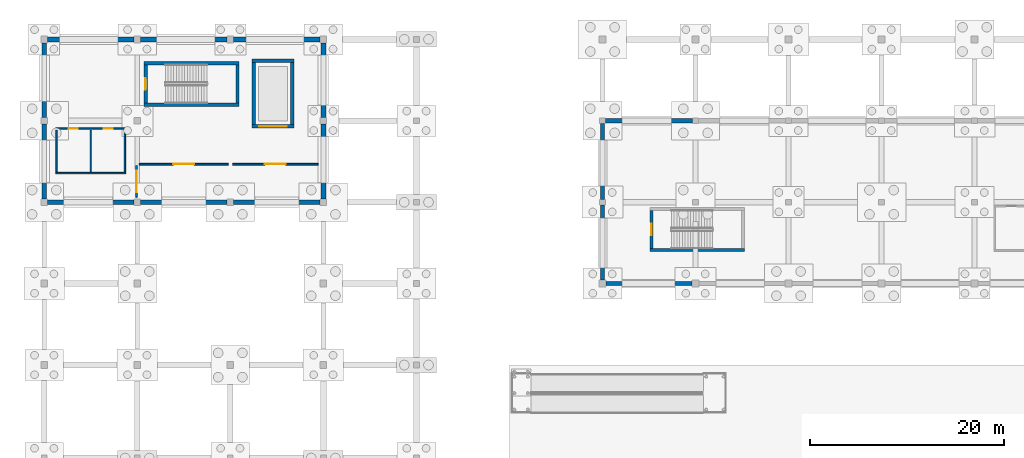
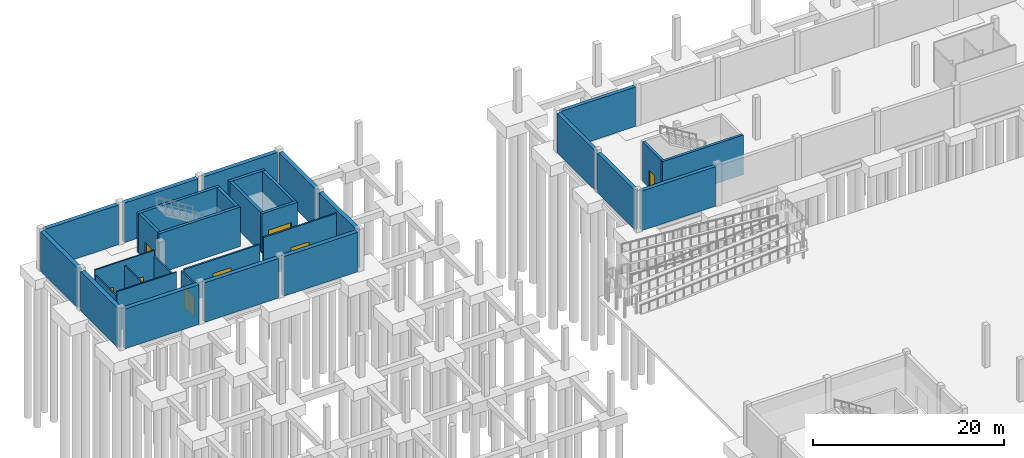
# One storey, part 25 of 41: 32 walls, 8 doors, 8 openings.
"""IFC4 building model written with IfcOpenShell, lengths in metres."""

from ifc_helpers import new_model, si_unit, direction, frame, frame_2d, origin, place, context, subcontext, project, spatial, rectangle, extrude, material, layer, layer_set, type_object, element, fill, save


model = new_model("IFC4")

# Units and contexts
model_context = context("Model", 3, precision=1e-05, world=origin(), true_north=direction((0.0, 1.0)))
body_context = subcontext(model_context, "Body", "Model", "MODEL_VIEW")
ifc_project = project(units=[si_unit("LENGTHUNIT", "METRE"), si_unit("AREAUNIT", "SQUARE_METRE"), si_unit("VOLUMEUNIT", "CUBIC_METRE"), si_unit("PLANEANGLEUNIT", "RADIAN"), si_unit("MASSUNIT", "GRAM", prefix="KILO")], contexts=[model_context])

# Site, building, storey
site_placement = place(None, origin())
site = spatial("IfcSite", under=ifc_project, at=site_placement, CompositionType="ELEMENT")
building_placement = place(site_placement, origin())
building = spatial("IfcBuilding", under=site, at=building_placement, Name="Shalvenor Court Art Gallery", CompositionType="ELEMENT")
storey_placement = place(building_placement, frame((0.0, 0.0, -5.39990234375)))
storey = spatial("IfcBuildingStorey", under=building, at=storey_placement, Name="B01", CompositionType="ELEMENT", Elevation=-5.39990234375)

# Walls
ifc_material_1 = material(Name="Concrete C40/50", Category="concrete")
ifc_layer_1 = layer(ifc_material_1, 0.35009765625, Name="Concrete C40/50")
ifc_layer_set_1 = layer_set([ifc_layer_1], Name="Concrete C40/50")
wall_type_1 = type_object("IfcWallType", Name="CW-W1", PredefinedType="SHEAR", material=ifc_layer_set_1)
wall_1_placement = place(storey_placement, frame((10.2880859375, 119.93701171875, 0.0), z_axis=(0.0, 0.0, 1.0), x_axis=(1.0, 0.0, 0.0)))
element("IfcWall", 1, at=wall_1_placement, inside=storey, type_object=wall_type_1, Name="B01 C6 Stair Core Shear Wall N", PredefinedType="SHEAR", context=body_context, shape_type="SweptSolid", body=[
    extrude(rectangle(XDim=9.823974609375, YDim=0.35009765625, at=frame_2d((4.912109375, 0.0))), origin(), (0.0, 0.0, 1.0), 5.059814453125),
])
wall_2_placement = place(storey_placement, frame((19.93701171875, 119.761962890625, 0.0), z_axis=(0.0, 0.0, 1.0), x_axis=(0.0, -1.0, 0.0)))
element("IfcWall", 2, at=wall_2_placement, inside=storey, type_object=wall_type_1, Name="B01 C6 Stair Core Shear Wall E", PredefinedType="SHEAR", context=body_context, shape_type="SweptSolid", body=[
    extrude(rectangle(XDim=3.924072265625, YDim=0.35009765625, at=frame_2d((1.9619140625, 0.0))), origin(), (0.0, 0.0, 1.0), 5.059814453125),
])
wall_3_placement = place(storey_placement, frame((20.112060546875, 115.6630859375, 0.0), z_axis=(0.0, 0.0, 1.0), x_axis=(-1.0, 0.0, 0.0)))
element("IfcWall", 3, at=wall_3_placement, inside=storey, type_object=wall_type_1, Name="B01 C6 Stair Core Shear Wall S", PredefinedType="SHEAR", context=body_context, shape_type="SweptSolid", body=[
    extrude(rectangle(XDim=9.823974609375, YDim=0.35009765625, at=frame_2d((4.912109375, 0.0))), origin(), (0.0, 0.0, 1.0), 5.059814453125),
])

# Wall, opening, door
wall_4_placement = place(storey_placement, frame((10.462890625, 115.837890625, 0.0), z_axis=(0.0, 0.0, 1.0), x_axis=(0.0, 1.0, 0.0)))
wall_4 = element("IfcWall", 4, at=wall_4_placement, inside=storey, type_object=wall_type_1, Name="B01 C6 Stair Core Shear Wall W", PredefinedType="SHEAR", context=body_context, shape_type="SweptSolid", body=[
    extrude(rectangle(XDim=3.924072265625, YDim=0.35009765625, at=frame_2d((1.9619140625, 0.0))), origin(), (0.0, 0.0, 1.0), 5.059814453125),
])
opening_1_placement = place(wall_4_placement, frame((1.362060546875, 0.0, 0.0)))
opening_1 = element("IfcOpeningElement", 5, at=opening_1_placement, cuts=wall_4, Name="Opening FD-01", PredefinedType="OPENING", context=body_context, shape_type="SweptSolid", body=[
    extrude(rectangle(XDim=1.199951171875, YDim=2.199951171875, at=frame_2d((0.60009765625, 1.10009765625))), frame((0.0, 0.18505859375, 0.0), z_axis=(0.0, -1.0, 0.0), x_axis=(1.0, 0.0, 0.0)), (0.0, 0.0, 1.0), 0.3701171875),
])
ifc_material_2 = material(Name="Fire-rated steel stair doorset", Category="steel")
door_type_1 = type_object("IfcDoorType", Name="FD-01", OperationType="NOTDEFINED", PredefinedType="DOOR", material=ifc_material_2)
door_1_placement = place(opening_1_placement, origin())
door_1 = element("IfcDoor", 6, at=door_1_placement, inside=storey, type_object=door_type_1, Name="DR-ST-B01-C6 B01 ST-06 Fire Stair Door", OperationType="SINGLE_SWING_LEFT", OverallHeight=2.199951171875, OverallWidth=1.199951171875, PredefinedType="DOOR", context=body_context, shape_type="SweptSolid", body=[
    extrude(rectangle(XDim=1.199951171875, YDim=2.199951171875, at=frame_2d((0.60009765625, 1.10009765625))), frame((0.0, 0.02490234375, 0.0), z_axis=(0.0, -1.0, 0.0), x_axis=(1.0, 0.0, 0.0)), (0.0, 0.0, 1.0), 0.050048828125),
])
fill(opening_1, door_1)

# Walls
wall_5_placement = place(storey_placement, frame((21.449951171875, 120.175048828125, 0.0), z_axis=(0.0, 0.0, 1.0), x_axis=(1.0, 0.0, 0.0)))
element("IfcWall", 7, at=wall_5_placement, inside=storey, type_object=wall_type_1, Name="B01 GL-01 Lift Shaft Wall N", PredefinedType="SHEAR", context=body_context, shape_type="SweptSolid", body=[
    extrude(rectangle(XDim=4.300048828125, YDim=0.35009765625, at=frame_2d((2.14990234375, 0.0))), origin(), (0.0, 0.0, 1.0), 5.059814453125),
])
wall_6_placement = place(storey_placement, frame((25.574951171875, 120.0, 0.0), z_axis=(0.0, 0.0, 1.0), x_axis=(0.0, -1.0, 0.0)))
element("IfcWall", 8, at=wall_6_placement, inside=storey, type_object=wall_type_1, Name="B01 GL-01 Lift Shaft Wall E", PredefinedType="SHEAR", context=body_context, shape_type="SweptSolid", body=[
    extrude(rectangle(XDim=6.39990234375, YDim=0.35009765625, at=frame_2d((3.199951171875, 0.0))), origin(), (0.0, 0.0, 1.0), 5.059814453125),
])

# Wall, opening, door
wall_7_placement = place(storey_placement, frame((25.75, 113.425048828125, 0.0), z_axis=(0.0, 0.0, 1.0), x_axis=(-1.0, 0.0, 0.0)))
wall_7 = element("IfcWall", 9, at=wall_7_placement, inside=storey, type_object=wall_type_1, Name="B01 GL-01 Lift Shaft Wall S", PredefinedType="SHEAR", context=body_context, shape_type="SweptSolid", body=[
    extrude(rectangle(XDim=4.300048828125, YDim=0.35009765625, at=frame_2d((2.14990234375, 0.0))), origin(), (0.0, 0.0, 1.0), 5.059814453125),
])
opening_2_placement = place(wall_7_placement, frame((0.75, 0.0, 0.0)))
opening_2 = element("IfcOpeningElement", 10, at=opening_2_placement, cuts=wall_7, Name="Opening LD-03", PredefinedType="OPENING", context=body_context, shape_type="SweptSolid", body=[
    extrude(rectangle(XDim=2.800048828125, YDim=2.699951171875, at=frame_2d((1.39990234375, 1.35009765625))), frame((0.0, 0.18505859375, 0.0), z_axis=(0.0, -1.0, 0.0), x_axis=(1.0, 0.0, 0.0)), (0.0, 0.0, 1.0), 0.3701171875),
])
ifc_material_3 = material(Name="Heavy-duty clean-art freight lift sliding landing door", Category="steel")
door_type_2 = type_object("IfcDoorType", Name="LD-03", OperationType="NOTDEFINED", PredefinedType="DOOR", material=ifc_material_3)
door_2_placement = place(opening_2_placement, origin())
door_2 = element("IfcDoor", 11, at=door_2_placement, inside=storey, type_object=door_type_2, Name="DR-LD-B01-GL-01 B01 GL-01 Lift Landing Sliding Door", OperationType="DOUBLE_DOOR_SLIDING", OverallHeight=2.699951171875, OverallWidth=2.800048828125, PredefinedType="DOOR", context=body_context, shape_type="SweptSolid", body=[
    extrude(rectangle(XDim=2.800048828125, YDim=2.699951171875, at=frame_2d((1.39990234375, 1.35009765625))), frame((0.0, 0.02490234375, 0.0), z_axis=(0.0, -1.0, 0.0), x_axis=(1.0, 0.0, 0.0)), (0.0, 0.0, 1.0), 0.050048828125),
])
fill(opening_2, door_2)

# Walls
wall_8_placement = place(storey_placement, frame((21.625, 113.60009765625, 0.0), z_axis=(0.0, 0.0, 1.0), x_axis=(0.0, 1.0, 0.0)))
element("IfcWall", 12, at=wall_8_placement, inside=storey, type_object=wall_type_1, Name="B01 GL-01 Lift Shaft Wall W", PredefinedType="SHEAR", context=body_context, shape_type="SweptSolid", body=[
    extrude(rectangle(XDim=6.39990234375, YDim=0.35009765625, at=frame_2d((3.199951171875, 0.0))), origin(), (0.0, 0.0, 1.0), 5.059814453125),
])
ifc_material_4 = material(Name="Concrete C40/50", Category="concrete")
ifc_layer_2 = layer(ifc_material_4, 0.31005859375, Name="Concrete C40/50")
ifc_layer_set_2 = layer_set([ifc_layer_2], Name="Concrete C40/50")
wall_type_2 = type_object("IfcWallType", Name="CW-W2", PredefinedType="SHEAR", material=ifc_layer_set_2)
wall_9_placement = place(storey_placement, frame((72.27197265625, 100.68310546875, 0.0), z_axis=(0.0, 0.0, 1.0), x_axis=(-1.0, 0.0, 0.0)))
element("IfcWall", 13, at=wall_9_placement, inside=storey, type_object=wall_type_2, Name="B01 C9 Stair Core Shear Wall S", PredefinedType="SHEAR", context=body_context, shape_type="SweptSolid", body=[
    extrude(rectangle(XDim=9.743896484375, YDim=0.31005859375, at=frame_2d((4.8720703125, 0.0))), origin(), (0.0, 0.0, 1.0), 5.059814453125),
])

# Wall, opening, door
wall_10_placement = place(storey_placement, frame((62.68310546875, 100.837890625, 0.0), z_axis=(0.0, 0.0, 1.0), x_axis=(0.0, 1.0, 0.0)))
wall_10 = element("IfcWall", 14, at=wall_10_placement, inside=storey, type_object=wall_type_2, Name="B01 C9 Stair Core Shear Wall W", PredefinedType="SHEAR", context=body_context, shape_type="SweptSolid", body=[
    extrude(rectangle(XDim=3.924072265625, YDim=0.31005859375, at=frame_2d((1.9619140625, 0.0))), origin(), (0.0, 0.0, 1.0), 5.059814453125),
])
opening_3_placement = place(wall_10_placement, frame((1.362060546875, 0.0, 0.0)))
opening_3 = element("IfcOpeningElement", 15, at=opening_3_placement, cuts=wall_10, Name="Opening FD-01", PredefinedType="OPENING", context=body_context, shape_type="SweptSolid", body=[
    extrude(rectangle(XDim=1.199951171875, YDim=2.199951171875, at=frame_2d((0.60009765625, 1.10009765625))), frame((0.0, 0.1650390625, 0.0), z_axis=(0.0, -1.0, 0.0), x_axis=(1.0, 0.0, 0.0)), (0.0, 0.0, 1.0), 0.330078125),
])
door_3_placement = place(opening_3_placement, origin())
door_3 = element("IfcDoor", 16, at=door_3_placement, inside=storey, type_object=door_type_1, Name="DR-ST-B01-C9 B01 ST-09 Fire Stair Door", OperationType="SINGLE_SWING_RIGHT", OverallHeight=2.199951171875, OverallWidth=1.199951171875, PredefinedType="DOOR", context=body_context, shape_type="SweptSolid", body=[
    extrude(rectangle(XDim=1.199951171875, YDim=2.199951171875, at=frame_2d((0.60009765625, 1.10009765625))), frame((0.0, 0.02490234375, 0.0), z_axis=(0.0, -1.0, 0.0), x_axis=(1.0, 0.0, 0.0)), (0.0, 0.0, 1.0), 0.050048828125),
])
fill(opening_3, door_3)

# Wall, openings, doors
ifc_material_5 = material(Name="Moisture-resistant sanitary partition", Category="other")
ifc_layer_3 = layer(ifc_material_5, 0.14990234375, Name="Moisture-resistant sanitary partition")
ifc_layer_set_3 = layer_set([ifc_layer_3], Name="Moisture-resistant sanitary partition")
wall_type_3 = type_object("IfcWallType", Name="PT-03", PredefinedType="PARTITIONING", material=ifc_layer_set_3)
wall_11_placement = place(storey_placement, frame((1.199951171875, 113.199951171875, 0.0), z_axis=(0.0, 0.0, 1.0), x_axis=(1.0, 0.0, 0.0)))
wall_11 = element("IfcWall", 17, at=wall_11_placement, inside=storey, type_object=wall_type_3, Name="B01 C6 Restroom Front Partition", PredefinedType="PARTITIONING", context=body_context, shape_type="SweptSolid", body=[
    extrude(rectangle(XDim=7.199951171875, YDim=0.14990234375, at=frame_2d((3.60009765625, 0.0))), origin(), (0.0, 0.0, 1.0), 5.059814453125),
])
opening_4_placement = place(wall_11_placement, frame((1.35009765625, 0.0, 0.0)))
opening_4 = element("IfcOpeningElement", 18, at=opening_4_placement, cuts=wall_11, Name="Opening ID-07", PredefinedType="OPENING", context=body_context, shape_type="SweptSolid", body=[
    extrude(rectangle(XDim=0.89990234375, YDim=2.10009765625, at=frame_2d((0.449951171875, 1.050048828125))), frame((0.0, 0.0849609375, 0.0), z_axis=(0.0, -1.0, 0.0), x_axis=(1.0, 0.0, 0.0)), (0.0, 0.0, 1.0), 0.169921875),
])
opening_5_placement = place(wall_11_placement, frame((4.925048828125, 0.0, 0.0)))
opening_5 = element("IfcOpeningElement", 19, at=opening_5_placement, cuts=wall_11, Name="Opening ID-06", PredefinedType="OPENING", context=body_context, shape_type="SweptSolid", body=[
    extrude(rectangle(XDim=0.949951171875, YDim=2.14990234375, at=frame_2d((0.47509765625, 1.074951171875))), frame((0.0, 0.0849609375, 0.0), z_axis=(0.0, -1.0, 0.0), x_axis=(1.0, 0.0, 0.0)), (0.0, 0.0, 1.0), 0.169921875),
])
ifc_material_6 = material(Name="Accessible restroom doorset", Category="steel")
door_type_3 = type_object("IfcDoorType", Name="ID-06", OperationType="NOTDEFINED", PredefinedType="DOOR", material=ifc_material_6)
door_4_placement = place(opening_5_placement, origin())
door_4 = element("IfcDoor", 20, at=door_4_placement, inside=storey, type_object=door_type_3, Name="DR-AWC-B01-C6-2 B01 C6 Accessible Restroom Door", OperationType="SINGLE_SWING_LEFT", OverallHeight=2.14990234375, OverallWidth=0.949951171875, PredefinedType="DOOR", context=body_context, shape_type="SweptSolid", body=[
    extrude(rectangle(XDim=0.949951171875, YDim=2.14990234375, at=frame_2d((0.47509765625, 1.074951171875))), frame((0.0, 0.02490234375, 0.0), z_axis=(0.0, -1.0, 0.0), x_axis=(1.0, 0.0, 0.0)), (0.0, 0.0, 1.0), 0.050048828125),
])
fill(opening_5, door_4)
ifc_material_7 = material(Name="Restroom timber doorset", Category="wood")
door_type_4 = type_object("IfcDoorType", Name="ID-07", OperationType="NOTDEFINED", PredefinedType="DOOR", material=ifc_material_7)
door_5_placement = place(opening_4_placement, origin())
door_5 = element("IfcDoor", 21, at=door_5_placement, inside=storey, type_object=door_type_4, Name="DR-WC-B01-C6-1 B01 C6 Public Restroom Door", OperationType="SINGLE_SWING_RIGHT", OverallHeight=2.10009765625, OverallWidth=0.89990234375, PredefinedType="DOOR", context=body_context, shape_type="SweptSolid", body=[
    extrude(rectangle(XDim=0.89990234375, YDim=2.10009765625, at=frame_2d((0.449951171875, 1.050048828125))), frame((0.0, 0.02490234375, 0.0), z_axis=(0.0, -1.0, 0.0), x_axis=(1.0, 0.0, 0.0)), (0.0, 0.0, 1.0), 0.050048828125),
])
fill(opening_4, door_5)

# Walls
wall_12_placement = place(storey_placement, frame((1.199951171875, 108.60009765625, 0.0), z_axis=(0.0, 0.0, 1.0), x_axis=(1.0, 0.0, 0.0)))
element("IfcWall", 22, at=wall_12_placement, inside=storey, type_object=wall_type_3, Name="B01 C6 Restroom Back Partition", PredefinedType="PARTITIONING", context=body_context, shape_type="SweptSolid", body=[
    extrude(rectangle(XDim=7.199951171875, YDim=0.14990234375, at=frame_2d((3.60009765625, 0.0))), origin(), (0.0, 0.0, 1.0), 5.059814453125),
])
for number, where, z_axis, x_axis, name in (
    (23, (1.27490234375, 108.760009765625, 0.0), (0.0, 0.0, 1.0), (0.0, 1.0, 0.0), "B01 C6 Restroom Partition L"),
    (24, (4.800048828125, 108.760009765625, 0.0), (0.0, 0.0, 1.0), (0.0, 1.0, 0.0), "B01 C6 Restroom Partition M"),
    (25, (8.324951171875, 108.760009765625, 0.0), (0.0, 0.0, 1.0), (0.0, 1.0, 0.0), "B01 C6 Restroom Partition R"),
):
    element("IfcWall", number, at=place(storey_placement, frame(where, z_axis=z_axis, x_axis=x_axis)), inside=storey, type_object=wall_type_3, Name=name, PredefinedType="PARTITIONING", context=body_context, shape_type="SweptSolid", body=[
        extrude(rectangle(XDim=4.280029296875, YDim=0.14990234375, at=frame_2d((2.14013671875, 0.0))), origin(), (0.0, 0.0, 1.0), 4.434814453125),
    ])
ifc_material_8 = material(Name="Concrete C40/50", Category="concrete")
ifc_layer_4 = layer(ifc_material_8, 0.5, Name="Concrete C40/50")
ifc_layer_set_4 = layer_set([ifc_layer_4], Name="Concrete C40/50")
wall_type_4 = type_object("IfcWallType", Name="RW-01", PredefinedType="USERDEFINED", material=ifc_layer_set_4)
wall_13_placement = place(storey_placement, frame((0.35009765625, 122.39990234375, 0.0), z_axis=(0.0, 0.0, 1.0), x_axis=(1.0, 0.0, 0.0)))
element("IfcWall", 26, at=wall_13_placement, inside=storey, type_object=wall_type_4, Name="B01 Retaining Wall WL-B01-0272", ObjectType="RETAINING WALL", PredefinedType="USERDEFINED", context=body_context, shape_type="SweptSolid", body=[
    extrude(rectangle(XDim=8.89990234375, YDim=0.5, at=frame_2d((4.449951171875, 0.0))), origin(), (0.0, 0.0, 1.0), 5.059814453125),
])
wall_14_placement = place(storey_placement, frame((9.949951171875, 122.39990234375, 0.0), z_axis=(0.0, 0.0, 1.0), x_axis=(1.0, 0.0, 0.0)))
element("IfcWall", 27, at=wall_14_placement, inside=storey, type_object=wall_type_4, Name="B01 Retaining Wall WL-B01-0273", ObjectType="RETAINING WALL", PredefinedType="USERDEFINED", context=body_context, shape_type="SweptSolid", body=[
    extrude(rectangle(XDim=8.900146484375, YDim=0.5, at=frame_2d((4.4501953125, 0.0))), origin(), (0.0, 0.0, 1.0), 5.059814453125),
])
wall_15_placement = place(storey_placement, frame((19.550048828125, 122.39990234375, 0.0), z_axis=(0.0, 0.0, 1.0), x_axis=(1.0, 0.0, 0.0)))
element("IfcWall", 28, at=wall_15_placement, inside=storey, type_object=wall_type_4, Name="B01 Retaining Wall WL-B01-0274", ObjectType="RETAINING WALL", PredefinedType="USERDEFINED", context=body_context, shape_type="SweptSolid", body=[
    extrude(rectangle(XDim=8.89990234375, YDim=0.5, at=frame_2d((4.449951171875, 0.0))), origin(), (0.0, 0.0, 1.0), 5.059814453125),
])
for number, where, z_axis, x_axis, name in (
    (29, (28.800048828125, 122.050048828125, 0.0), (0.0, 0.0, 1.0), (0.0, -1.0, 0.0), "B01 Retaining Wall WL-B01-0275"),
    (30, (28.800048828125, 113.64990234375, 0.0), (0.0, 0.0, 1.0), (0.0, -1.0, 0.0), "B01 Retaining Wall WL-B01-0276"),
):
    element("IfcWall", number, at=place(storey_placement, frame(where, z_axis=z_axis, x_axis=x_axis)), inside=storey, type_object=wall_type_4, Name=name, ObjectType="RETAINING WALL", PredefinedType="USERDEFINED", context=body_context, shape_type="SweptSolid", body=[
        extrude(rectangle(XDim=7.699951171875, YDim=0.5, at=frame_2d((3.85009765625, 0.0))), origin(), (0.0, 0.0, 1.0), 5.059814453125),
    ])
wall_16_placement = place(storey_placement, frame((28.449951171875, 105.60009765625, 0.0), z_axis=(0.0, 0.0, 1.0), x_axis=(-1.0, 0.0, 0.0)))
element("IfcWall", 31, at=wall_16_placement, inside=storey, type_object=wall_type_4, Name="B01 Retaining Wall WL-B01-0277", ObjectType="RETAINING WALL", PredefinedType="USERDEFINED", context=body_context, shape_type="SweptSolid", body=[
    extrude(rectangle(XDim=8.89990234375, YDim=0.5, at=frame_2d((4.449951171875, 0.0))), origin(), (0.0, 0.0, 1.0), 5.059814453125),
])
wall_17_placement = place(storey_placement, frame((18.85009765625, 105.60009765625, 0.0), z_axis=(0.0, 0.0, 1.0), x_axis=(-1.0, 0.0, 0.0)))
element("IfcWall", 32, at=wall_17_placement, inside=storey, type_object=wall_type_4, Name="B01 Retaining Wall WL-B01-0278", ObjectType="RETAINING WALL", PredefinedType="USERDEFINED", context=body_context, shape_type="SweptSolid", body=[
    extrude(rectangle(XDim=8.900146484375, YDim=0.5, at=frame_2d((4.4501953125, 0.0))), origin(), (0.0, 0.0, 1.0), 5.059814453125),
])
wall_18_placement = place(storey_placement, frame((9.25, 105.60009765625, 0.0), z_axis=(0.0, 0.0, 1.0), x_axis=(-1.0, 0.0, 0.0)))
element("IfcWall", 33, at=wall_18_placement, inside=storey, type_object=wall_type_4, Name="B01 Retaining Wall WL-B01-0279", ObjectType="RETAINING WALL", PredefinedType="USERDEFINED", context=body_context, shape_type="SweptSolid", body=[
    extrude(rectangle(XDim=8.89990234375, YDim=0.5, at=frame_2d((4.449951171875, 0.0))), origin(), (0.0, 0.0, 1.0), 5.059814453125),
])
for number, where, z_axis, x_axis, name in (
    (34, (0.0, 105.949951171875, 0.0), (0.0, 0.0, 1.0), (0.0, 1.0, 0.0), "B01 Retaining Wall WL-B01-0280"),
    (35, (0.0, 114.35009765625, 0.0), (0.0, 0.0, 1.0), (0.0, 1.0, 0.0), "B01 Retaining Wall WL-B01-0281"),
):
    element("IfcWall", number, at=place(storey_placement, frame(where, z_axis=z_axis, x_axis=x_axis)), inside=storey, type_object=wall_type_4, Name=name, ObjectType="RETAINING WALL", PredefinedType="USERDEFINED", context=body_context, shape_type="SweptSolid", body=[
        extrude(rectangle(XDim=7.699951171875, YDim=0.5, at=frame_2d((3.85009765625, 0.0))), origin(), (0.0, 0.0, 1.0), 5.059814453125),
    ])
ifc_material_9 = material(Name="Concrete C40/50", Category="concrete")
ifc_layer_5 = layer(ifc_material_9, 0.43994140625, Name="Concrete C40/50")
ifc_layer_set_5 = layer_set([ifc_layer_5], Name="Concrete C40/50")
wall_type_5 = type_object("IfcWallType", Name="RW-02", PredefinedType="USERDEFINED", material=ifc_layer_set_5)
wall_19_placement = place(storey_placement, frame((57.89990234375, 114.0, 0.0), z_axis=(0.0, 0.0, 1.0), x_axis=(1.0, 0.0, 0.0)))
element("IfcWall", 36, at=wall_19_placement, inside=storey, type_object=wall_type_5, Name="B01 Retaining Wall WL-B01-0103", ObjectType="RETAINING WALL", PredefinedType="USERDEFINED", context=body_context, shape_type="SweptSolid", body=[
    extrude(rectangle(XDim=9.0, YDim=0.43994140625, at=frame_2d((4.5, 0.0))), origin(), (0.0, 0.0, 1.0), 5.059814453125),
])
wall_20_placement = place(storey_placement, frame((66.85009765625, 97.199951171875, 0.0), z_axis=(0.0, 0.0, 1.0), x_axis=(-1.0, 0.0, 0.0)))
element("IfcWall", 37, at=wall_20_placement, inside=storey, type_object=wall_type_5, Name="B01 Retaining Wall WL-B01-0118", ObjectType="RETAINING WALL", PredefinedType="USERDEFINED", context=body_context, shape_type="SweptSolid", body=[
    extrude(rectangle(XDim=8.900146484375, YDim=0.43994140625, at=frame_2d((4.4501953125, 0.0))), origin(), (0.0, 0.0, 1.0), 5.059814453125),
])
wall_21_placement = place(storey_placement, frame((57.60009765625, 97.550048828125, 0.0), z_axis=(0.0, 0.0, 1.0), x_axis=(0.0, 1.0, 0.0)))
element("IfcWall", 38, at=wall_21_placement, inside=storey, type_object=wall_type_5, Name="B01 Retaining Wall WL-B01-0119", ObjectType="RETAINING WALL", PredefinedType="USERDEFINED", context=body_context, shape_type="SweptSolid", body=[
    extrude(rectangle(XDim=7.75, YDim=0.43994140625, at=frame_2d((3.875, 0.0))), origin(), (0.0, 0.0, 1.0), 5.059814453125),
])
wall_22_placement = place(storey_placement, frame((57.60009765625, 105.89990234375, 0.0), z_axis=(0.0, 0.0, 1.0), x_axis=(0.0, 1.0, 0.0)))
element("IfcWall", 39, at=wall_22_placement, inside=storey, type_object=wall_type_5, Name="B01 Retaining Wall WL-B01-0120", ObjectType="RETAINING WALL", PredefinedType="USERDEFINED", context=body_context, shape_type="SweptSolid", body=[
    extrude(rectangle(XDim=7.800048828125, YDim=0.43994140625, at=frame_2d((3.89990234375, 0.0))), origin(), (0.0, 0.0, 1.0), 5.059814453125),
])

# Wall, opening, door
ifc_material_10 = material(Name="Concrete blockwork vault fire wall", Category="masonry")
ifc_layer_6 = layer(ifc_material_10, 0.195068359375, Name="Concrete blockwork vault fire wall")
ifc_layer_set_6 = layer_set([ifc_layer_6], Name="Concrete blockwork vault fire wall")
wall_type_6 = type_object("IfcWallType", Name="VW-01", PredefinedType="PARTITIONING", material=ifc_layer_set_6)
wall_23_placement = place(storey_placement, frame((9.52001953125, 109.3701171875, 0.0), z_axis=(0.0, 0.0, 1.0), x_axis=(0.0, -1.0, 0.0)))
wall_23 = element("IfcWall", 40, at=wall_23_placement, inside=storey, type_object=wall_type_6, Name="B01 Art Vault Storage Partition 588", PredefinedType="PARTITIONING", context=body_context, shape_type="SweptSolid", body=[
    extrude(rectangle(XDim=3.25, YDim=0.195068359375, at=frame_2d((1.625, 0.0))), origin(), (0.0, 0.0, 1.0), 4.3349609375),
])
opening_6_placement = place(wall_23_placement, frame((0.52490234375, 0.0, 0.0)))
opening_6 = element("IfcOpeningElement", 41, at=opening_6_placement, cuts=wall_23, Name="Opening VD-01", PredefinedType="OPENING", context=body_context, shape_type="SweptSolid", body=[
    extrude(rectangle(XDim=2.199951171875, YDim=2.60009765625, at=frame_2d((1.10009765625, 1.300048828125))), frame((0.0, 0.107421875, 0.0), z_axis=(0.0, -1.0, 0.0), x_axis=(1.0, 0.0, 0.0)), (0.0, 0.0, 1.0), 0.215087890625),
])
ifc_material_11 = material(Name="Insulated steel art-vault double doorset", Category="steel")
door_type_5 = type_object("IfcDoorType", Name="VD-01", OperationType="NOTDEFINED", PredefinedType="DOOR", material=ifc_material_11)
door_6_placement = place(opening_6_placement, origin())
door_6 = element("IfcDoor", 42, at=door_6_placement, inside=storey, type_object=door_type_5, Name="DR-RM-B01-0119 B01 Art Vault Storage Door", OperationType="DOUBLE_DOOR_SINGLE_SWING", OverallHeight=2.60009765625, OverallWidth=2.199951171875, PredefinedType="DOOR", context=body_context, shape_type="SweptSolid", body=[
    extrude(rectangle(XDim=2.199951171875, YDim=2.60009765625, at=frame_2d((1.10009765625, 1.300048828125))), frame((0.0, 0.02490234375, 0.0), z_axis=(0.0, -1.0, 0.0), x_axis=(1.0, 0.0, 0.0)), (0.0, 0.0, 1.0), 0.050048828125),
])
fill(opening_6, door_6)

wall_24_placement = place(storey_placement, frame((9.830078125, 109.52001953125, 0.0), z_axis=(0.0, 0.0, 1.0), x_axis=(1.0, 0.0, 0.0)))
wall_24 = element("IfcWall", 43, at=wall_24_placement, inside=storey, type_object=wall_type_6, Name="B01 Works On Paper Cold Vault Partition 589", PredefinedType="PARTITIONING", context=body_context, shape_type="SweptSolid", body=[
    extrude(rectangle(XDim=9.139892578125, YDim=0.195068359375, at=frame_2d((4.56982421875, 0.0))), origin(), (0.0, 0.0, 1.0), 4.3349609375),
])
opening_7_placement = place(wall_24_placement, frame((3.469970703125, 0.0, 0.0)))
opening_7 = element("IfcOpeningElement", 44, at=opening_7_placement, cuts=wall_24, Name="Opening VD-01", PredefinedType="OPENING", context=body_context, shape_type="SweptSolid", body=[
    extrude(rectangle(XDim=2.199951171875, YDim=2.60009765625, at=frame_2d((1.10009765625, 1.300048828125))), frame((0.0, 0.107421875, 0.0), z_axis=(0.0, -1.0, 0.0), x_axis=(1.0, 0.0, 0.0)), (0.0, 0.0, 1.0), 0.215087890625),
])
door_7_placement = place(opening_7_placement, origin())
door_7 = element("IfcDoor", 45, at=door_7_placement, inside=storey, type_object=door_type_5, Name="DR-RM-B01-0120 B01 Works On Paper Cold Vault Door", OperationType="DOUBLE_DOOR_SINGLE_SWING", OverallHeight=2.60009765625, OverallWidth=2.199951171875, PredefinedType="DOOR", context=body_context, shape_type="SweptSolid", body=[
    extrude(rectangle(XDim=2.199951171875, YDim=2.60009765625, at=frame_2d((1.10009765625, 1.300048828125))), frame((0.0, 0.02490234375, 0.0), z_axis=(0.0, -1.0, 0.0), x_axis=(1.0, 0.0, 0.0)), (0.0, 0.0, 1.0), 0.050048828125),
])
fill(opening_7, door_7)

wall_25_placement = place(storey_placement, frame((19.429931640625, 109.52001953125, 0.0), z_axis=(0.0, 0.0, 1.0), x_axis=(1.0, 0.0, 0.0)))
wall_25 = element("IfcWall", 46, at=wall_25_placement, inside=storey, type_object=wall_type_6, Name="B01 Pest Quarantine Room Partition 590", PredefinedType="PARTITIONING", context=body_context, shape_type="SweptSolid", body=[
    extrude(rectangle(XDim=8.820068359375, YDim=0.195068359375, at=frame_2d((4.41015625, 0.0))), origin(), (0.0, 0.0, 1.0), 5.059814453125),
])
opening_8_placement = place(wall_25_placement, frame((3.31005859375, 0.0, 0.0)))
opening_8 = element("IfcOpeningElement", 47, at=opening_8_placement, cuts=wall_25, Name="Opening VD-01", PredefinedType="OPENING", context=body_context, shape_type="SweptSolid", body=[
    extrude(rectangle(XDim=2.199951171875, YDim=2.60009765625, at=frame_2d((1.10009765625, 1.300048828125))), frame((0.0, 0.107421875, 0.0), z_axis=(0.0, -1.0, 0.0), x_axis=(1.0, 0.0, 0.0)), (0.0, 0.0, 1.0), 0.215087890625),
])
door_8_placement = place(opening_8_placement, origin())
door_8 = element("IfcDoor", 48, at=door_8_placement, inside=storey, type_object=door_type_5, Name="DR-RM-B01-0121 B01 Pest Quarantine Room Door", OperationType="DOUBLE_DOOR_SINGLE_SWING", OverallHeight=2.60009765625, OverallWidth=2.199951171875, PredefinedType="DOOR", context=body_context, shape_type="SweptSolid", body=[
    extrude(rectangle(XDim=2.199951171875, YDim=2.60009765625, at=frame_2d((1.10009765625, 1.300048828125))), frame((0.0, 0.02490234375, 0.0), z_axis=(0.0, -1.0, 0.0), x_axis=(1.0, 0.0, 0.0)), (0.0, 0.0, 1.0), 0.050048828125),
])
fill(opening_8, door_8)

save(model, "model.ifc")
